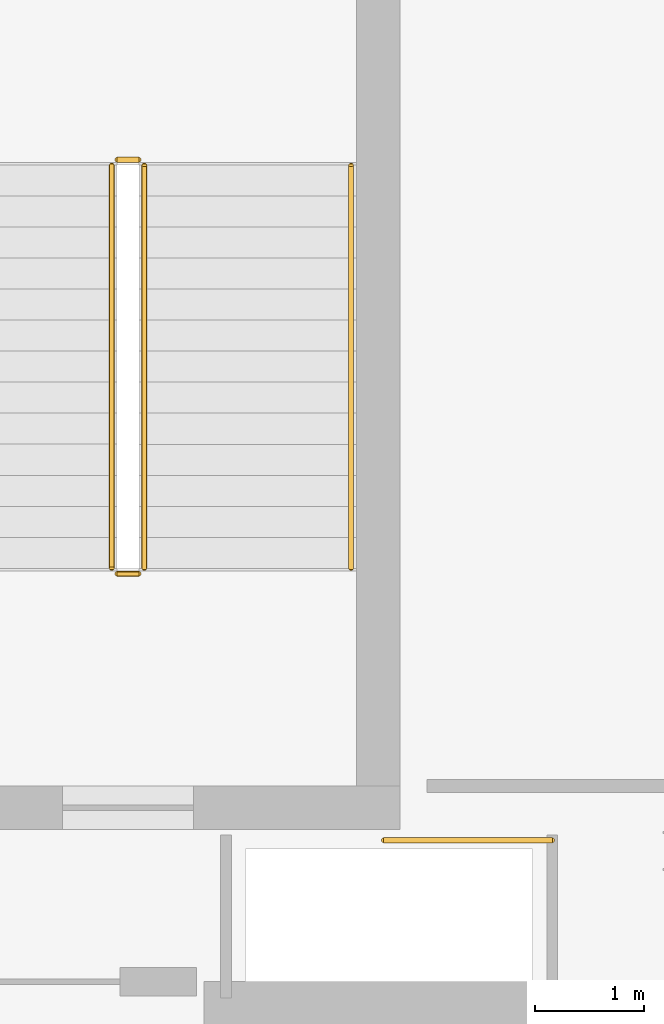
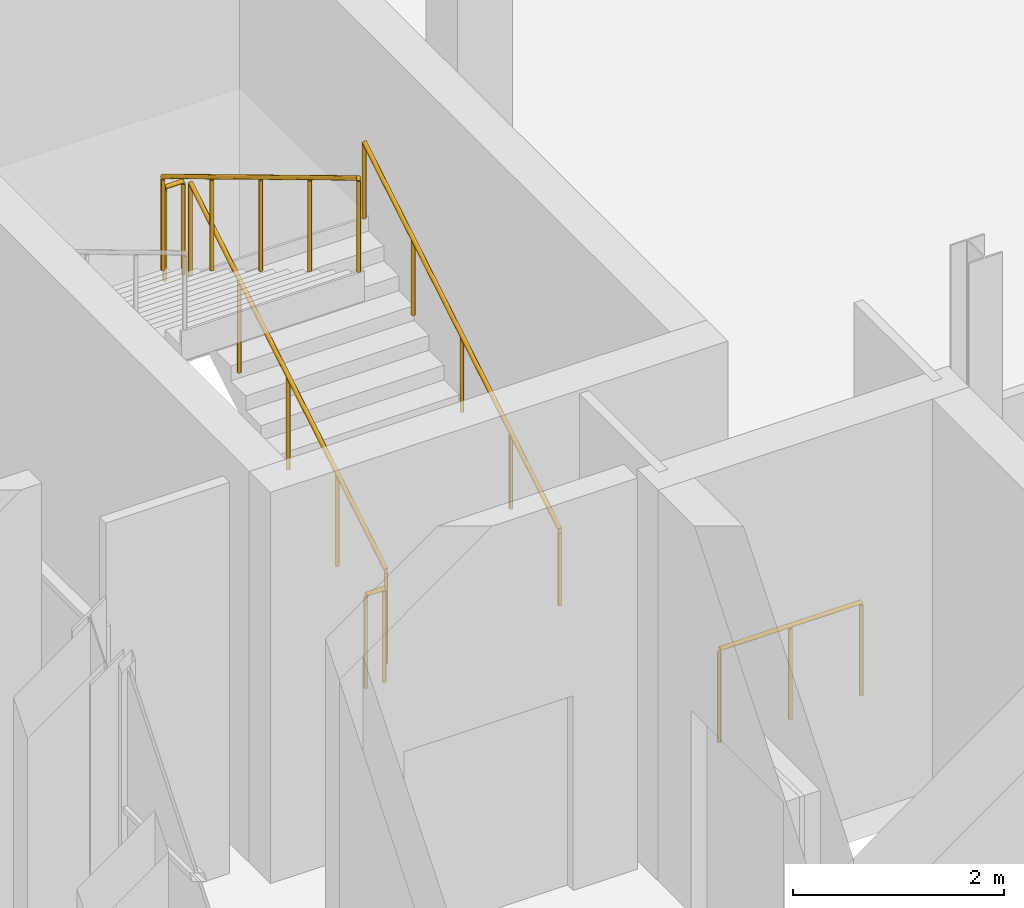
# One storey, part 79 of 99: 6 railings.
"""IFC4 building model written with IfcOpenShell, lengths in metres."""

import ifcopenshell
import ifcopenshell.guid

model = None  # the IFC model being written
_history = None  # IfcOwnerHistory: only IFC2X3 demands one
_inside = {}  # id of a spatial element -> (the spatial element, [elements in it])
_under = {}  # id of a project, library or spatial element -> (it, [spatial elements below it])
_declared = {}  # id of a project -> (the project, [libraries it declares])
_typed = {}  # id of a type object -> (the type object, [elements of that type])
_made_of = {}  # id of a material, layer set ... -> (it, [elements and type objects made of it])


def new_model(schema):
    """Start an empty IFC model of exactly this schema.

    Asked for "IFC4X3", IfcOpenShell would pick the latest addendum, in which some entities
    have other attributes; the version numbers below select the first issue.
    IFC2X3 requires an IfcOwnerHistory on every rooted entity: one is made here for all.
    """
    global model, _history
    if schema == "IFC4X3":
        model = ifcopenshell.file(schema_version=(4, 3, 0, 0))
    else:
        model = ifcopenshell.file(schema=schema)
    _inside.clear()
    _under.clear()
    _declared.clear()
    _typed.clear()
    _made_of.clear()
    _history = None
    if model.schema == "IFC2X3":
        org = make("IfcOrganization", Name="unknown")
        user = make(
            "IfcPersonAndOrganization",
            ThePerson=make("IfcPerson", FamilyName="unknown"),
            TheOrganization=org,
        )
        app = make(
            "IfcApplication",
            ApplicationDeveloper=org,
            Version="unknown",
            ApplicationFullName="unknown",
            ApplicationIdentifier="unknown",
        )
        _history = make(
            "IfcOwnerHistory",
            OwningUser=user,
            OwningApplication=app,
            ChangeAction="ADDED",
            CreationDate=0,
        )
    return model


def make(cls, **values):
    """One entity of the class cls with the attributes given. An attribute that is None is left unset."""
    return model.create_entity(
        cls, **{name: value for name, value in values.items() if value is not None}
    )


def rooted(cls, **values):
    """An entity with a GlobalId (a new one), such as an element, a storey or a relation."""
    return make(cls, GlobalId=ifcopenshell.guid.new(), OwnerHistory=_history, **values)


def si_unit(unit_type, name, prefix=None):
    """IfcSIUnit, for example si_unit("LENGTHUNIT", "METRE", prefix="MILLI")."""
    return make("IfcSIUnit", UnitType=unit_type, Prefix=prefix, Name=name)


def assignment(units):
    """IfcUnitAssignment: the units of a project."""
    return None if units is None else make("IfcUnitAssignment", Units=units)


def point(xyz):
    """IfcCartesianPoint."""
    return None if xyz is None else make("IfcCartesianPoint", Coordinates=xyz)


def direction(xyz):
    """IfcDirection."""
    return None if xyz is None else make("IfcDirection", DirectionRatios=xyz)


def frame(location, z_axis=None, x_axis=None):
    """IfcAxis2Placement3D, a coordinate frame: its origin and axes. An axis left out is left unset."""
    return make(
        "IfcAxis2Placement3D",
        Location=point(location),
        Axis=direction(z_axis),
        RefDirection=direction(x_axis),
    )


def frame_2d(location, x_axis=None):
    """IfcAxis2Placement2D, a coordinate frame in the plane: its origin and x axis."""
    return make(
        "IfcAxis2Placement2D", Location=point(location), RefDirection=direction(x_axis)
    )


def origin():
    """The frame at (0, 0, 0) with its axes left unset."""
    return frame((0.0, 0.0, 0.0))


def origin_2d():
    """The frame at (0, 0) in the plane with its x axis left unset."""
    return frame_2d((0.0, 0.0))


def place(relative_to, where):
    """IfcLocalPlacement: puts the frame where relative to a parent placement (None: the world)."""
    return make(
        "IfcLocalPlacement", PlacementRelTo=relative_to, RelativePlacement=where
    )


def context(
    kind, dimensions, precision=None, world=None, true_north=None, identifier=None
):
    """IfcGeometricRepresentationContext, for example the 3D "Model" context."""
    return make(
        "IfcGeometricRepresentationContext",
        ContextIdentifier=identifier,
        ContextType=kind,
        CoordinateSpaceDimension=dimensions,
        Precision=precision,
        WorldCoordinateSystem=world,
        TrueNorth=true_north,
    )


def subcontext(parent, identifier, kind, view, scale=None):
    """IfcGeometricRepresentationSubContext, for example "Body" below "Model"."""
    return make(
        "IfcGeometricRepresentationSubContext",
        ContextIdentifier=identifier,
        ContextType=kind,
        ParentContext=parent,
        TargetScale=scale,
        TargetView=view,
    )


def project(units=None, contexts=None):
    """IfcProject with its units and contexts."""
    return rooted(
        "IfcProject",
        Name="project",
        RepresentationContexts=contexts,
        UnitsInContext=assignment(units),
    )


def spatial(cls, under=None, at=None, **own):
    """A site, building, storey or space (cls), placed at a placement, below another one or the project."""
    s = rooted(cls, ObjectPlacement=at, **own)
    if under is not None:
        _under.setdefault(under.id(), (under, []))[1].append(s)
    return s


def profile(cls, at=None, kind="AREA", **sizes):
    """A parametric profile (cls). Its sizes go by their IFC names, for example OverallWidth=200.0."""
    return make(cls, ProfileType=kind, Position=at, **sizes)


def circle(**sizes):
    """IfcCircleProfileDef."""
    return profile("IfcCircleProfileDef", **sizes)


def extrude(swept, where, along, depth):
    """IfcExtrudedAreaSolid: the profile swept, set in the frame where, extruded along a direction by depth."""
    return make(
        "IfcExtrudedAreaSolid",
        SweptArea=swept,
        Position=where,
        ExtrudedDirection=direction(along),
        Depth=depth,
    )


def shape(context_of_items, identifier, shape_type, items):
    """IfcShapeRepresentation: the items that make up one representation, for example the "Body"."""
    return make(
        "IfcShapeRepresentation",
        ContextOfItems=context_of_items,
        RepresentationIdentifier=identifier,
        RepresentationType=shape_type,
        Items=items,
    )


def material(Name=None, Category=None):
    """IfcMaterial."""
    return make("IfcMaterial", Name=Name, Category=Category)


def made_of(thing, what):
    """Note that an element or type object is made of a material, layer set ...; save() writes the relation."""
    if what is not None:
        _made_of.setdefault(what.id(), (what, []))[1].append(thing)
    return thing


def type_object(cls, material=None, **own):
    """A type object (cls), such as IfcWallType, which elements share."""
    return made_of(rooted(cls, **own), material)


def element(
    cls,
    number,
    at=None,
    inside=None,
    cuts=None,
    type_object=None,
    material=None,
    context=None,
    identifier="Body",
    shape_type=None,
    held_by="IfcProductDefinitionShape",
    body=None,
    shapes=None,
    **own,
):
    """One element of the class cls, such as IfcWall. Its Tag is "e" and its number.

    at: its placement. inside: the storey or other place that contains it. cuts: it is an
    opening in that element (IfcRelVoidsElement). A single representation is given by context,
    identifier, shape_type and body (its items); several are given by shapes. held_by: the class
    of the entity that holds the representations. save() writes the other relations.
    """
    e = rooted(cls, Tag="e%d" % number, ObjectPlacement=at, **own)
    if body is not None:
        shapes = [shape(context, identifier, shape_type, body)]
    if shapes is not None:
        e.Representation = make(held_by, Representations=shapes)
    if inside is not None:
        _inside.setdefault(inside.id(), (inside, []))[1].append(e)
    if cuts is not None:
        rooted(
            "IfcRelVoidsElement", RelatingBuildingElement=cuts, RelatedOpeningElement=e
        )
    if type_object is not None:
        _typed.setdefault(type_object.id(), (type_object, []))[1].append(e)
    return made_of(e, material)


def aggregate(whole, parts):
    """IfcRelAggregates: a whole, such as a stair, and the parts it consists of."""
    return rooted("IfcRelAggregates", RelatingObject=whole, RelatedObjects=parts)


def save(model, path):
    """Write the relations noted so far, then the file.

    IfcRelAggregates (storeys below a building ...), IfcRelContainedInSpatialStructure (elements
    in a storey), IfcRelDefinesByType, IfcRelAssociatesMaterial and IfcRelDeclares: one each for
    every whole, place, type object, material and project.
    """
    for whole, parts in _under.values():
        aggregate(whole, parts)
    for where, things in _inside.values():
        rooted(
            "IfcRelContainedInSpatialStructure",
            RelatedElements=things,
            RelatingStructure=where,
        )
    for kind, things in _typed.values():
        rooted("IfcRelDefinesByType", RelatedObjects=things, RelatingType=kind)
    for what, things in _made_of.values():
        rooted("IfcRelAssociatesMaterial", RelatedObjects=things, RelatingMaterial=what)
    for by, libraries in _declared.values():
        rooted("IfcRelDeclares", RelatingContext=by, RelatedDefinitions=libraries)
    model.write(path)


model = new_model("IFC4")

# Units and contexts
model_context = context("Model", 3, precision=1e-05, world=origin(), true_north=direction((0.0, 1.0)))
body_context = subcontext(model_context, "Body", "Model", "MODEL_VIEW")
ifc_project = project(units=[si_unit("LENGTHUNIT", "METRE"), si_unit("AREAUNIT", "SQUARE_METRE"), si_unit("VOLUMEUNIT", "CUBIC_METRE"), si_unit("PLANEANGLEUNIT", "RADIAN"), si_unit("MASSUNIT", "GRAM", prefix="KILO")], contexts=[model_context])

# Site, building, storey
site_placement = place(None, origin())
site = spatial("IfcSite", under=ifc_project, at=site_placement, CompositionType="ELEMENT")
building_placement = place(site_placement, origin())
building = spatial("IfcBuilding", under=site, at=building_placement, Name="Caelomonte Colonnade Arena", CompositionType="ELEMENT")
storey_placement = place(building_placement, frame((0.0, 0.0, 4.800048828125)))
storey = spatial("IfcBuildingStorey", under=building, at=storey_placement, Name="L01", CompositionType="ELEMENT", Elevation=4.800048828125)

# Railings
ifc_material_1 = material(Name="Painted galvanized steel stair guard", Category="steel")
railing_type_1 = type_object("IfcRailingType", Name="INT-RL-GRD", PredefinedType="GUARDRAIL", material=ifc_material_1)
railing_1_placement = place(storey_placement, frame((4.64990234375, 60.199951171875, 0.17138671875)))
element("IfcRailing", 1, at=railing_1_placement, inside=storey, type_object=railing_type_1, Name="L01 ST-08 stair guard 1", PredefinedType="GUARDRAIL", context=body_context, shape_type="SweptSolid", body=[
    extrude(circle(Radius=0.02392578125, at=origin_2d()), frame((0.0, 0.0, 1.076171875), z_axis=(0.0, 0.856934400257, 0.515425487977), x_axis=(-1.0, 0.0, 0.0)), (0.0, 0.0, 1.0), 4.32373046875),
    extrude(circle(Radius=0.02099609375, at=origin_2d()), origin(), (0.0, 0.0, 1.0), 1.048095703125),
    extrude(circle(Radius=0.02099609375, at=origin_2d()), frame((0.0, 0.92626953125, 0.55712890625)), (0.0, 0.0, 1.0), 1.048095703125),
    extrude(circle(Radius=0.02099609375, at=origin_2d()), frame((0.0, 1.8525390625, 1.1142578125)), (0.0, 0.0, 1.0), 1.048095703125),
    extrude(circle(Radius=0.02099609375, at=origin_2d()), frame((0.0, 2.77880859375, 1.67138671875)), (0.0, 0.0, 1.0), 1.048095703125),
    extrude(circle(Radius=0.02099609375, at=origin_2d()), frame((0.0, 3.705078125, 2.228515625)), (0.0, 0.0, 1.0), 1.048095703125),
])
railing_2_placement = place(storey_placement, frame((4.60009765625, 63.955078125, 2.39990234375)))
element("IfcRailing", 2, at=railing_2_placement, inside=storey, type_object=railing_type_1, Name="L01 ST-08 stair guard 2", PredefinedType="GUARDRAIL", context=body_context, shape_type="SweptSolid", body=[
    extrude(circle(Radius=0.02392578125, at=origin_2d()), frame((0.0, 0.0, 1.076171875), z_axis=(-1.0, 0.0, 0.0), x_axis=(0.0, -1.0, 0.0)), (0.0, 0.0, 1.0), 0.2001953125),
    extrude(circle(Radius=0.02099609375, at=origin_2d()), origin(), (0.0, 0.0, 1.0), 1.048095703125),
    extrude(circle(Radius=0.02099609375, at=origin_2d()), frame((-0.2001953125, 0.0, 0.0)), (0.0, 0.0, 1.0), 1.048095703125),
])
railing_3_placement = place(storey_placement, frame((4.35009765625, 63.905029296875, 2.5712890625)))
element("IfcRailing", 3, at=railing_3_placement, inside=storey, type_object=railing_type_1, Name="L01 ST-08 stair guard 3", PredefinedType="GUARDRAIL", context=body_context, shape_type="SweptSolid", body=[
    extrude(circle(Radius=0.02392578125, at=origin_2d()), frame((0.0, 0.0, 1.076171875), z_axis=(0.0, -0.856909459561, 0.515466951525), x_axis=(1.0, 0.0, 0.0)), (0.0, 0.0, 1.0), 4.32373046875),
    extrude(circle(Radius=0.02099609375, at=origin_2d()), origin(), (0.0, 0.0, 1.0), 1.048095703125),
    extrude(circle(Radius=0.02099609375, at=origin_2d()), frame((0.0, -0.92626953125, 0.55712890625)), (0.0, 0.0, 1.0), 1.048095703125),
    extrude(circle(Radius=0.02099609375, at=origin_2d()), frame((0.0, -1.8525390625, 1.1142578125)), (0.0, 0.0, 1.0), 1.048095703125),
    extrude(circle(Radius=0.02099609375, at=origin_2d()), frame((0.0, -2.77880859375, 1.671630859375)), (0.0, 0.0, 1.0), 1.048095703125),
    extrude(circle(Radius=0.02099609375, at=origin_2d()), frame((0.0, -3.705078125, 2.228759765625)), (0.0, 0.0, 1.0), 1.048095703125),
])
railing_4_placement = place(storey_placement, frame((4.60009765625, 60.14990234375, 0.0)))
element("IfcRailing", 4, at=railing_4_placement, inside=storey, type_object=railing_type_1, Name="L01 ST-08 stair guard 4", PredefinedType="GUARDRAIL", context=body_context, shape_type="SweptSolid", body=[
    extrude(circle(Radius=0.02392578125, at=origin_2d()), frame((0.0, 0.0, 1.076171875), z_axis=(-1.0, 0.0, 0.0), x_axis=(0.0, -1.0, 0.0)), (0.0, 0.0, 1.0), 0.2001953125),
    extrude(circle(Radius=0.02099609375, at=origin_2d()), origin(), (0.0, 0.0, 1.0), 1.048095703125),
    extrude(circle(Radius=0.02099609375, at=origin_2d()), frame((-0.2001953125, 0.0, 0.0)), (0.0, 0.0, 1.0), 1.048095703125),
])
railing_5_placement = place(storey_placement, frame((6.85009765625, 57.699951171875, 0.0)))
element("IfcRailing", 5, at=railing_5_placement, inside=storey, type_object=railing_type_1, Name="Core C8 L01 riser opening guard", PredefinedType="GUARDRAIL", context=body_context, shape_type="SweptSolid", body=[
    extrude(circle(Radius=0.02392578125, at=origin_2d()), frame((0.0, 0.0, 1.076171875), z_axis=(1.0, 0.0, 0.0), x_axis=(0.0, 1.0, 0.0)), (0.0, 0.0, 1.0), 1.5498046875),
    extrude(circle(Radius=0.02099609375, at=origin_2d()), origin(), (0.0, 0.0, 1.0), 1.048095703125),
    extrude(circle(Radius=0.02099609375, at=origin_2d()), frame((0.77490234375, 0.0, 0.0)), (0.0, 0.0, 1.0), 1.048095703125),
    extrude(circle(Radius=0.02099609375, at=origin_2d()), frame((1.5498046875, 0.0, 0.0)), (0.0, 0.0, 1.0), 1.048095703125),
])
ifc_material_2 = material(Name="Brushed stainless steel stair handrail", Category="steel")
railing_type_2 = type_object("IfcRailingType", Name="INT-RL-HR", PredefinedType="HANDRAIL", material=ifc_material_2)
railing_6_placement = place(storey_placement, frame((6.550048828125, 60.199951171875, 0.17138671875)))
element("IfcRailing", 6, at=railing_6_placement, inside=storey, type_object=railing_type_2, Name="L01 ST-08 stair handrail 1", PredefinedType="HANDRAIL", context=body_context, shape_type="SweptSolid", body=[
    extrude(circle(Radius=0.02392578125, at=origin_2d()), frame((0.0, 0.0, 0.8759765625), z_axis=(0.0, 0.856934400257, 0.515425487977), x_axis=(-1.0, 0.0, 0.0)), (0.0, 0.0, 1.0), 4.32373046875),
    extrude(circle(Radius=0.02099609375, at=origin_2d()), origin(), (0.0, 0.0, 1.0), 0.847900390625),
    extrude(circle(Radius=0.02099609375, at=origin_2d()), frame((0.0, 0.92626953125, 0.55712890625)), (0.0, 0.0, 1.0), 0.847900390625),
    extrude(circle(Radius=0.02099609375, at=origin_2d()), frame((0.0, 1.8525390625, 1.1142578125)), (0.0, 0.0, 1.0), 0.847900390625),
    extrude(circle(Radius=0.02099609375, at=origin_2d()), frame((0.0, 2.77880859375, 1.67138671875)), (0.0, 0.0, 1.0), 0.847900390625),
    extrude(circle(Radius=0.02099609375, at=origin_2d()), frame((0.0, 3.705078125, 2.228515625)), (0.0, 0.0, 1.0), 0.847900390625),
])

save(model, "model.ifc")
